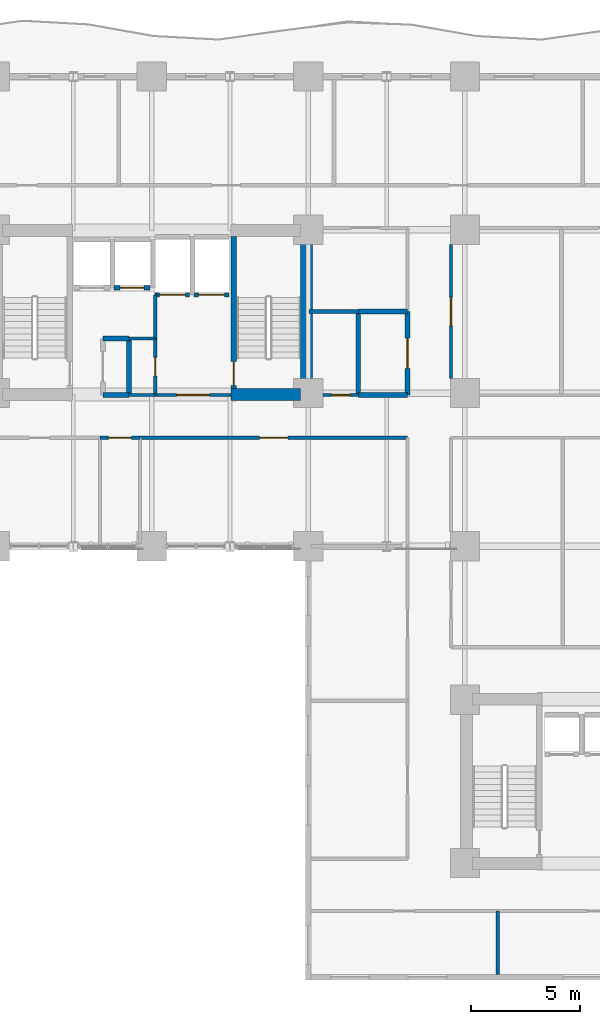
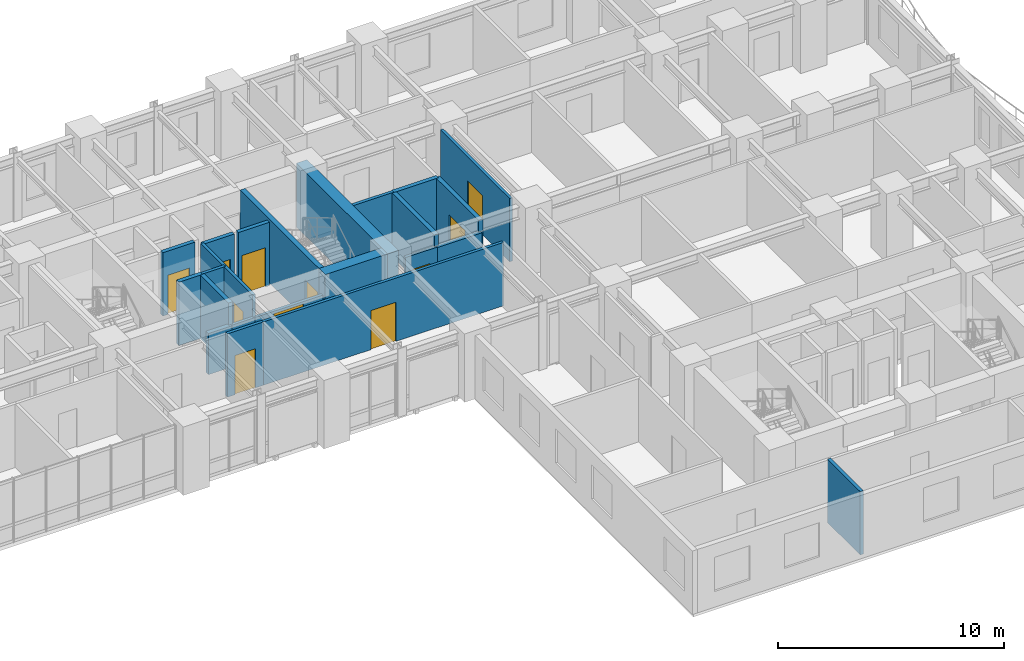
# One storey, part 9 of 17: 24 walls, 11 doors, 11 openings.
"""IFC4 building model written with IfcOpenShell, lengths in metres."""

from ifc_helpers import new_model, si_unit, direction, frame, frame_2d, origin, place, context, subcontext, project, spatial, rectangle, extrude, material, layer, layer_set, type_object, element, fill, save


model = new_model("IFC4")

# Units and contexts
model_context = context("Model", 3, precision=1e-05, world=origin(), true_north=direction((0.0, 1.0)))
body_context = subcontext(model_context, "Body", "Model", "MODEL_VIEW")
ifc_project = project(units=[si_unit("LENGTHUNIT", "METRE"), si_unit("AREAUNIT", "SQUARE_METRE"), si_unit("VOLUMEUNIT", "CUBIC_METRE"), si_unit("PLANEANGLEUNIT", "RADIAN"), si_unit("MASSUNIT", "GRAM", prefix="KILO")], contexts=[model_context])

# Site, building, storey
site_placement = place(None, origin())
site = spatial("IfcSite", under=ifc_project, at=site_placement, CompositionType="ELEMENT")
building_placement = place(site_placement, origin())
building = spatial("IfcBuilding", under=site, at=building_placement, Name="Kaliganga Portal Commons", CompositionType="ELEMENT")
storey_placement = place(building_placement, frame((0.0, 0.0, 43.800048828125)))
storey = spatial("IfcBuildingStorey", under=building, at=storey_placement, Name="L10", CompositionType="ELEMENT", Elevation=43.800048828125)

# Walls
ifc_material_1 = material(Name="Concrete C60/75", Category="concrete")
ifc_layer_1 = layer(ifc_material_1, 0.550048828125)
ifc_layer_set_1 = layer_set([ifc_layer_1], Name="Concrete C60/75")
wall_type_1 = type_object("IfcWallType", Name="WL-CORE-550", PredefinedType="SHEAR", material=ifc_layer_set_1)
wall_1_placement = place(storey_placement, frame((28.72509765625, 28.300048828125, 0.0), z_axis=(0.0, 0.0, 1.0), x_axis=(0.0, 1.0, 0.0)))
element("IfcWall", 1, at=wall_1_placement, inside=storey, type_object=wall_type_1, Name="Core A East Shear Wall L10", PredefinedType="SHEAR", context=body_context, shape_type="SweptSolid", body=[
    extrude(rectangle(XDim=8.099853515625, YDim=0.550048828125, at=frame_2d((4.0498046875, 0.0))), origin(), (0.0, 0.0, 1.0), 3.449951171875),
])
wall_2_placement = place(storey_placement, frame((25.25, 28.574951171875, 0.0), z_axis=(0.0, 0.0, 1.0), x_axis=(1.0, 0.0, 0.0)))
element("IfcWall", 2, at=wall_2_placement, inside=storey, type_object=wall_type_1, Name="Core A S-East Shear Wall L10", PredefinedType="SHEAR", context=body_context, shape_type="SweptSolid", body=[
    extrude(rectangle(XDim=3.199951171875, YDim=0.550048828125, at=frame_2d((1.60009765625, 0.0))), origin(), (0.0, 0.0, 1.0), 3.449951171875),
])

# Wall, opening, door
ifc_material_2 = material(Name="Fire-Rated Gypsum Board on Steel Stud", Category="steel")
ifc_layer_2 = layer(ifc_material_2, 0.14990234375)
ifc_layer_set_2 = layer_set([ifc_layer_2], Name="Fire-Rated Gypsum Board on Steel Stud")
wall_type_2 = type_object("IfcWallType", Name="WL-PART-CORR-150", PredefinedType="PARTITIONING", material=ifc_layer_set_2)
wall_3_placement = place(storey_placement, frame((21.06005859375, 26.60009765625, 0.0), z_axis=(0.0, 0.0, 1.0), x_axis=(1.0, 0.0, 0.0)))
wall_3 = element("IfcWall", 3, at=wall_3_placement, inside=storey, type_object=wall_type_2, Name="Interior Partition L10-006", PredefinedType="PARTITIONING", context=body_context, shape_type="SweptSolid", body=[
    extrude(rectangle(XDim=12.300048828125, YDim=0.14990234375, at=frame_2d((6.14990234375, 0.0))), origin(), (0.0, 0.0, 1.0), 3.429931640625),
])
opening_1_placement = place(wall_3_placement, frame((5.5, 0.0, 0.0)))
opening_1 = element("IfcOpeningElement", 4, at=opening_1_placement, cuts=wall_3, Name="Opening RD-03", PredefinedType="OPENING", context=body_context, shape_type="SweptSolid", body=[
    extrude(rectangle(XDim=1.300048828125, YDim=2.1201171875, at=frame_2d((0.64990234375, 1.06005859375))), frame((0.0, 0.0849609375, 0.0), z_axis=(0.0, -1.0, 0.0), x_axis=(1.0, 0.0, 0.0)), (0.0, 0.0, 1.0), 0.169921875),
])
ifc_material_3 = material(Name="Glazed Timber Seminar Vision Door", Category="wood")
door_type_1 = type_object("IfcDoorType", Name="DR-STUDY-1300", OperationType="DOUBLE_DOOR_SINGLE_SWING", PredefinedType="DOOR", material=ifc_material_3)
door_1_placement = place(opening_1_placement, origin())
door_1 = element("IfcDoor", 5, at=door_1_placement, inside=storey, type_object=door_type_1, Name="Interior Door L10-AS05", OperationType="DOUBLE_DOOR_SINGLE_SWING", OverallHeight=2.1201171875, OverallWidth=1.300048828125, PredefinedType="DOOR", context=body_context, shape_type="SweptSolid", body=[
    extrude(rectangle(XDim=1.300048828125, YDim=2.1201171875, at=frame_2d((0.64990234375, 1.06005859375))), frame((0.0, 0.02490234375, 0.0), z_axis=(0.0, -1.0, 0.0), x_axis=(1.0, 0.0, 0.0)), (0.0, 0.0, 1.0), 0.050048828125),
])
fill(opening_1, door_1)

wall_4_placement = place(storey_placement, frame((35.360107421875, 29.324951171875, 0.0), z_axis=(0.0, 0.0, 1.0), x_axis=(0.0, 1.0, 0.0)))
wall_4 = element("IfcWall", 6, at=wall_4_placement, inside=storey, type_object=wall_type_2, Name="Interior Partition L10-018", PredefinedType="PARTITIONING", context=body_context, shape_type="SweptSolid", body=[
    extrude(rectangle(XDim=6.150146484375, YDim=0.14990234375, at=frame_2d((3.0751953125, 0.0))), origin(), (0.0, 0.0, 1.0), 3.429931640625),
])
opening_2_placement = place(wall_4_placement, frame((2.425048828125, 0.0, 0.0)))
opening_2 = element("IfcOpeningElement", 7, at=opening_2_placement, cuts=wall_4, Name="Opening RD-03", PredefinedType="OPENING", context=body_context, shape_type="SweptSolid", body=[
    extrude(rectangle(XDim=1.300048828125, YDim=2.1201171875, at=frame_2d((0.64990234375, 1.06005859375))), frame((0.0, 0.0849609375, 0.0), z_axis=(0.0, -1.0, 0.0), x_axis=(1.0, 0.0, 0.0)), (0.0, 0.0, 1.0), 0.169921875),
])
door_2_placement = place(opening_2_placement, origin())
door_2 = element("IfcDoor", 8, at=door_2_placement, inside=storey, type_object=door_type_1, Name="Interior Door L10-BK01", OperationType="DOUBLE_DOOR_SINGLE_SWING", OverallHeight=2.1201171875, OverallWidth=1.300048828125, PredefinedType="DOOR", context=body_context, shape_type="SweptSolid", body=[
    extrude(rectangle(XDim=1.300048828125, YDim=2.1201171875, at=frame_2d((0.64990234375, 1.06005859375))), frame((0.0, 0.02490234375, 0.0), z_axis=(0.0, -1.0, 0.0), x_axis=(1.0, 0.0, 0.0)), (0.0, 0.0, 1.0), 0.050048828125),
])
fill(opening_2, door_2)

wall_5_placement = place(storey_placement, frame((21.760009765625, 28.56005859375, 0.0), z_axis=(0.0, 0.0, 1.0), x_axis=(0.0, 1.0, 0.0)))
wall_5 = element("IfcWall", 9, at=wall_5_placement, inside=storey, type_object=wall_type_2, Name="Interior Partition L10-050", PredefinedType="PARTITIONING", context=body_context, shape_type="SweptSolid", body=[
    extrude(rectangle(XDim=2.599853515625, YDim=0.14990234375, at=frame_2d((1.2998046875, 0.0))), origin(), (0.0, 0.0, 1.0), 3.429931640625),
])
opening_3_placement = place(wall_5_placement, frame((0.8701171875, 0.0, 0.0)))
opening_3 = element("IfcOpeningElement", 10, at=opening_3_placement, cuts=wall_5, Name="Opening WD-02", PredefinedType="OPENING", context=body_context, shape_type="SweptSolid", body=[
    extrude(rectangle(XDim=0.860107421875, YDim=2.02001953125, at=frame_2d((0.43017578125, 1.010009765625))), frame((0.0, 0.0849609375, 0.0), z_axis=(0.0, -1.0, 0.0), x_axis=(1.0, 0.0, 0.0)), (0.0, 0.0, 1.0), 0.169921875),
])
ifc_material_4 = material(Name="Fire-Rated Utility Closet Door", Category="wood")
door_type_2 = type_object("IfcDoorType", Name="DR-STORE-800", OperationType="NOTDEFINED", PredefinedType="DOOR", material=ifc_material_4)
door_3_placement = place(opening_3_placement, origin())
door_3 = element("IfcDoor", 11, at=door_3_placement, inside=storey, type_object=door_type_2, Name="Interior Door L10-CIN_A2", OperationType="SINGLE_SWING_RIGHT", OverallHeight=2.02001953125, OverallWidth=0.860107421875, PredefinedType="DOOR", context=body_context, shape_type="SweptSolid", body=[
    extrude(rectangle(XDim=0.860107421875, YDim=2.02001953125, at=frame_2d((0.43017578125, 1.010009765625))), frame((0.0, 0.02490234375, 0.0), z_axis=(0.0, -1.0, 0.0), x_axis=(1.0, 0.0, 0.0)), (0.0, 0.0, 1.0), 0.050048828125),
])
fill(opening_3, door_3)

wall_6_placement = place(storey_placement, frame((29.47509765625, 28.56005859375, 0.0), z_axis=(0.0, 0.0, 1.0), x_axis=(1.0, 0.0, 0.0)))
wall_6 = element("IfcWall", 12, at=wall_6_placement, inside=storey, type_object=wall_type_2, Name="Interior Partition L10-052", PredefinedType="PARTITIONING", context=body_context, shape_type="SweptSolid", body=[
    extrude(rectangle(XDim=1.625, YDim=0.14990234375, at=frame_2d((0.8125, 0.0))), origin(), (0.0, 0.0, 1.0), 2.780029296875),
])
opening_4_placement = place(wall_6_placement, frame((0.382568359375, 0.0, 0.0)))
opening_4 = element("IfcOpeningElement", 13, at=opening_4_placement, cuts=wall_6, Name="Opening WD-02", PredefinedType="OPENING", context=body_context, shape_type="SweptSolid", body=[
    extrude(rectangle(XDim=0.860107421875, YDim=2.02001953125, at=frame_2d((0.43017578125, 1.010009765625))), frame((0.0, 0.0849609375, 0.0), z_axis=(0.0, -1.0, 0.0), x_axis=(1.0, 0.0, 0.0)), (0.0, 0.0, 1.0), 0.169921875),
])
door_4_placement = place(opening_4_placement, origin())
door_4 = element("IfcDoor", 14, at=door_4_placement, inside=storey, type_object=door_type_2, Name="Interior Door L10-CSRV_A1", OperationType="SINGLE_SWING_RIGHT", OverallHeight=2.02001953125, OverallWidth=0.860107421875, PredefinedType="DOOR", context=body_context, shape_type="SweptSolid", body=[
    extrude(rectangle(XDim=0.860107421875, YDim=2.02001953125, at=frame_2d((0.43017578125, 1.010009765625))), frame((0.0, 0.02490234375, 0.0), z_axis=(0.0, -1.0, 0.0), x_axis=(1.0, 0.0, 0.0)), (0.0, 0.0, 1.0), 0.050048828125),
])
fill(opening_4, door_4)

wall_7_placement = place(storey_placement, frame((19.219970703125, 26.60009765625, 0.0), z_axis=(0.0, 0.0, 1.0), x_axis=(1.0, 0.0, 0.0)))
wall_7 = element("IfcWall", 15, at=wall_7_placement, inside=storey, type_object=wall_type_2, Name="Interior Partition L10-054", PredefinedType="PARTITIONING", context=body_context, shape_type="SweptSolid", body=[
    extrude(rectangle(XDim=1.840087890625, YDim=0.14990234375, at=frame_2d((0.919921875, 0.0))), origin(), (0.0, 0.0, 1.0), 3.429931640625),
])
opening_5_placement = place(wall_7_placement, frame((0.39501953125, 0.0, 0.0)))
opening_5 = element("IfcOpeningElement", 16, at=opening_5_placement, cuts=wall_7, Name="Opening UD-02", PredefinedType="OPENING", context=body_context, shape_type="SweptSolid", body=[
    extrude(rectangle(XDim=1.050048828125, YDim=2.1201171875, at=frame_2d((0.52490234375, 1.06005859375))), frame((0.0, 0.0849609375, 0.0), z_axis=(0.0, -1.0, 0.0), x_axis=(1.0, 0.0, 0.0)), (0.0, 0.0, 1.0), 0.169921875),
])
ifc_material_5 = material(Name="Accessible Wide-Leaf Acoustic Fire Door", Category="wood")
door_type_3 = type_object("IfcDoorType", Name="DR-ACC-1050", OperationType="NOTDEFINED", PredefinedType="DOOR", material=ifc_material_5)
door_5_placement = place(opening_5_placement, origin())
door_5 = element("IfcDoor", 17, at=door_5_placement, inside=storey, type_object=door_type_3, Name="Interior Door L10-AS04", OperationType="SINGLE_SWING_LEFT", OverallHeight=2.1201171875, OverallWidth=1.050048828125, PredefinedType="DOOR", context=body_context, shape_type="SweptSolid", body=[
    extrude(rectangle(XDim=1.050048828125, YDim=2.1201171875, at=frame_2d((0.52490234375, 1.06005859375))), frame((0.0, 0.02490234375, 0.0), z_axis=(0.0, -1.0, 0.0), x_axis=(1.0, 0.0, 0.0)), (0.0, 0.0, 1.0), 0.050048828125),
])
fill(opening_5, door_5)

# Walls
wall_8_placement = place(storey_placement, frame((20.56005859375, 28.56005859375, 0.0), z_axis=(0.0, 0.0, 1.0), x_axis=(1.0, 0.0, 0.0)))
element("IfcWall", 18, at=wall_8_placement, inside=storey, type_object=wall_type_2, Name="Interior Partition L10-055", PredefinedType="PARTITIONING", context=body_context, shape_type="SweptSolid", body=[
    extrude(rectangle(XDim=1.199951171875, YDim=0.14990234375, at=frame_2d((0.60009765625, 0.0))), origin(), (0.0, 0.0, 1.0), 2.22998046875),
])
wall_9_placement = place(storey_placement, frame((20.56005859375, 31.159912109375, 0.0), z_axis=(0.0, 0.0, 1.0), x_axis=(1.0, 0.0, 0.0)))
element("IfcWall", 19, at=wall_9_placement, inside=storey, type_object=wall_type_2, Name="Interior Partition L10-056", PredefinedType="PARTITIONING", context=body_context, shape_type="SweptSolid", body=[
    extrude(rectangle(XDim=1.199951171875, YDim=0.14990234375, at=frame_2d((0.60009765625, 0.0))), origin(), (0.0, 0.0, 1.0), 3.429931640625),
])

# Wall, opening, door
wall_10_placement = place(storey_placement, frame((21.760009765625, 28.56005859375, 0.0), z_axis=(0.0, 0.0, 1.0), x_axis=(1.0, 0.0, 0.0)))
wall_10 = element("IfcWall", 20, at=wall_10_placement, inside=storey, type_object=wall_type_2, Name="Interior Partition L10-088", PredefinedType="PARTITIONING", context=body_context, shape_type="SweptSolid", body=[
    extrude(rectangle(XDim=3.47998046875, YDim=0.14990234375, at=frame_2d((1.739990234375, 0.0))), origin(), (0.0, 0.0, 1.0), 2.22998046875),
])
opening_6_placement = place(wall_10_placement, frame((0.989990234375, 0.0, 0.0)))
opening_6 = element("IfcOpeningElement", 21, at=opening_6_placement, cuts=wall_10, Name="Opening FD-01", PredefinedType="OPENING", context=body_context, shape_type="SweptSolid", body=[
    extrude(rectangle(XDim=1.5, YDim=2.10009765625, at=frame_2d((0.75, 1.050048828125))), frame((0.0, 0.0849609375, 0.0), z_axis=(0.0, -1.0, 0.0), x_axis=(1.0, 0.0, 0.0)), (0.0, 0.0, 1.0), 0.169921875),
])
ifc_material_6 = material(Name="Fire-Rated Hardwood and Georgian-Wired Vision Panel", Category="wood")
door_type_4 = type_object("IfcDoorType", Name="DR-LOBBY-1500", OperationType="DOUBLE_DOOR_SINGLE_SWING", PredefinedType="DOOR", material=ifc_material_6)
door_6_placement = place(opening_6_placement, origin())
door_6 = element("IfcDoor", 22, at=door_6_placement, inside=storey, type_object=door_type_4, Name="Interior Door L10-FFLOB_A", OperationType="DOUBLE_DOOR_SINGLE_SWING", OverallHeight=2.10009765625, OverallWidth=1.5, PredefinedType="DOOR", context=body_context, shape_type="SweptSolid", body=[
    extrude(rectangle(XDim=1.5, YDim=2.10009765625, at=frame_2d((0.75, 1.050048828125))), frame((0.0, 0.02490234375, 0.0), z_axis=(0.0, -1.0, 0.0), x_axis=(1.0, 0.0, 0.0)), (0.0, 0.0, 1.0), 0.050048828125),
])
fill(opening_6, door_6)

# Wall
wall_11_placement = place(storey_placement, frame((21.760009765625, 31.159912109375, 0.0), z_axis=(0.0, 0.0, 1.0), x_axis=(0.0, 1.0, 0.0)))
element("IfcWall", 23, at=wall_11_placement, inside=storey, type_object=wall_type_2, Name="Interior Partition L10-095", PredefinedType="PARTITIONING", context=body_context, shape_type="SweptSolid", body=[
    extrude(rectangle(XDim=2.0, YDim=0.14990234375, at=frame_2d((1.0, 0.0))), origin(), (0.0, 0.0, 1.0), 3.429931640625),
])

# Wall, opening, door
ifc_material_7 = material(Name="Lightweight blockwork masonry", Category="masonry")
ifc_layer_3 = layer(ifc_material_7, 0.215087890625)
ifc_layer_set_3 = layer_set([ifc_layer_3], Name="Lightweight blockwork masonry")
wall_type_3 = type_object("IfcWallType", Name="WL-PART-PLANT-215", PredefinedType="PARTITIONING", material=ifc_layer_set_3)
wall_12_placement = place(storey_placement, frame((33.360107421875, 28.56005859375, 0.0), z_axis=(0.0, 0.0, 1.0), x_axis=(0.0, 1.0, 0.0)))
wall_12 = element("IfcWall", 24, at=wall_12_placement, inside=storey, type_object=wall_type_3, Name="Interior Partition L10-048", PredefinedType="PARTITIONING", context=body_context, shape_type="SweptSolid", body=[
    extrude(rectangle(XDim=3.83984375, YDim=0.215087890625, at=frame_2d((1.919921875, 0.0))), origin(), (0.0, 0.0, 1.0), 3.429931640625),
])
opening_7_placement = place(wall_12_placement, frame((1.219970703125, 0.0, 0.0)))
opening_7 = element("IfcOpeningElement", 25, at=opening_7_placement, cuts=wall_12, Name="Opening PD-01", PredefinedType="OPENING", context=body_context, shape_type="SweptSolid", body=[
    extrude(rectangle(XDim=1.39990234375, YDim=2.14990234375, at=frame_2d((0.699951171875, 1.074951171875))), frame((0.0, 0.11767578125, 0.0), z_axis=(0.0, -1.0, 0.0), x_axis=(1.0, 0.0, 0.0)), (0.0, 0.0, 1.0), 0.235107421875),
])
ifc_material_8 = material(Name="Heavy-Duty Steel Acoustic Louvre Fire Door", Category="steel")
door_type_5 = type_object("IfcDoorType", Name="DR-PLANT-1400", OperationType="DOUBLE_DOOR_SINGLE_SWING", PredefinedType="DOOR", material=ifc_material_8)
door_7_placement = place(opening_7_placement, origin())
door_7 = element("IfcDoor", 26, at=door_7_placement, inside=storey, type_object=door_type_5, Name="Interior Door L10-CSRV_A3", OperationType="DOUBLE_DOOR_SINGLE_SWING", OverallHeight=2.14990234375, OverallWidth=1.39990234375, PredefinedType="DOOR", context=body_context, shape_type="SweptSolid", body=[
    extrude(rectangle(XDim=1.39990234375, YDim=2.14990234375, at=frame_2d((0.699951171875, 1.074951171875))), frame((0.0, 0.02490234375, 0.0), z_axis=(0.0, -1.0, 0.0), x_axis=(1.0, 0.0, 0.0)), (0.0, 0.0, 1.0), 0.050048828125),
])
fill(opening_7, door_7)

# Walls
wall_13_placement = place(storey_placement, frame((31.10009765625, 28.56005859375, 0.0), z_axis=(0.0, 0.0, 1.0), x_axis=(1.0, 0.0, 0.0)))
element("IfcWall", 27, at=wall_13_placement, inside=storey, type_object=wall_type_3, Name="Interior Partition L10-053", PredefinedType="PARTITIONING", context=body_context, shape_type="SweptSolid", body=[
    extrude(rectangle(XDim=2.260009765625, YDim=0.215087890625, at=frame_2d((1.1298828125, 0.0))), origin(), (0.0, 0.0, 1.0), 2.780029296875),
])
wall_14_placement = place(storey_placement, frame((19.360107421875, 28.56005859375, 0.0), z_axis=(0.0, 0.0, 1.0), x_axis=(1.0, 0.0, 0.0)))
element("IfcWall", 28, at=wall_14_placement, inside=storey, type_object=wall_type_3, Name="Interior Partition L10-057", PredefinedType="PARTITIONING", context=body_context, shape_type="SweptSolid", body=[
    extrude(rectangle(XDim=1.199951171875, YDim=0.215087890625, at=frame_2d((0.60009765625, 0.0))), origin(), (0.0, 0.0, 1.0), 2.22998046875),
])
wall_15_placement = place(storey_placement, frame((19.360107421875, 31.159912109375, 0.0), z_axis=(0.0, 0.0, 1.0), x_axis=(1.0, 0.0, 0.0)))
element("IfcWall", 29, at=wall_15_placement, inside=storey, type_object=wall_type_3, Name="Interior Partition L10-058", PredefinedType="PARTITIONING", context=body_context, shape_type="SweptSolid", body=[
    extrude(rectangle(XDim=1.199951171875, YDim=0.215087890625, at=frame_2d((0.60009765625, 0.0))), origin(), (0.0, 0.0, 1.0), 3.429931640625),
])
wall_16_placement = place(storey_placement, frame((31.10009765625, 28.56005859375, 0.0), z_axis=(0.0, 0.0, 1.0), x_axis=(0.0, 1.0, 0.0)))
element("IfcWall", 30, at=wall_16_placement, inside=storey, type_object=wall_type_3, Name="Interior Partition L10-087", PredefinedType="PARTITIONING", context=body_context, shape_type="SweptSolid", body=[
    extrude(rectangle(XDim=3.83984375, YDim=0.215087890625, at=frame_2d((1.919921875, 0.0))), origin(), (0.0, 0.0, 1.0), 3.429931640625),
])
wall_17_placement = place(storey_placement, frame((20.56005859375, 28.56005859375, 0.0), z_axis=(0.0, 0.0, 1.0), x_axis=(0.0, 1.0, 0.0)))
element("IfcWall", 31, at=wall_17_placement, inside=storey, type_object=wall_type_3, Name="Interior Partition L10-092", PredefinedType="PARTITIONING", context=body_context, shape_type="SweptSolid", body=[
    extrude(rectangle(XDim=2.599853515625, YDim=0.215087890625, at=frame_2d((1.2998046875, 0.0))), origin(), (0.0, 0.0, 1.0), 3.429931640625),
])
wall_18_placement = place(storey_placement, frame((31.10009765625, 32.39990234375, 0.0), z_axis=(0.0, 0.0, 1.0), x_axis=(1.0, 0.0, 0.0)))
element("IfcWall", 32, at=wall_18_placement, inside=storey, type_object=wall_type_3, Name="Interior Partition L10-094", PredefinedType="PARTITIONING", context=body_context, shape_type="SweptSolid", body=[
    extrude(rectangle(XDim=2.260009765625, YDim=0.215087890625, at=frame_2d((1.1298828125, 0.0))), origin(), (0.0, 0.0, 1.0), 3.429931640625),
])
ifc_material_9 = material(Name="Twin-Stud Acoustic Gypsum Partition", Category="gypsum")
ifc_layer_4 = layer(ifc_material_9, 0.1650390625)
ifc_layer_set_4 = layer_set([ifc_layer_4], Name="Twin-Stud Acoustic Gypsum Partition")
wall_type_4 = type_object("IfcWallType", Name="WL-PART-UNIT-165", PredefinedType="PARTITIONING", material=ifc_layer_set_4)
wall_19_placement = place(storey_placement, frame((37.5, 1.931884765625, 0.0), z_axis=(0.0, 0.0, 1.0), x_axis=(0.0, 1.0, 0.0)))
element("IfcWall", 33, at=wall_19_placement, inside=storey, type_object=wall_type_4, Name="Interior Partition L10-090", PredefinedType="PARTITIONING", context=body_context, shape_type="SweptSolid", body=[
    extrude(rectangle(XDim=2.908203125, YDim=0.1650390625, at=frame_2d((1.4541015625, 0.0))), origin(), (0.0, 0.0, 1.0), 3.429931640625),
])
wall_20_placement = place(storey_placement, frame((28.840087890625, 32.39990234375, 0.0), z_axis=(0.0, 0.0, 1.0), x_axis=(1.0, 0.0, 0.0)))
element("IfcWall", 34, at=wall_20_placement, inside=storey, type_object=wall_type_4, Name="Interior Partition L10-093", PredefinedType="PARTITIONING", context=body_context, shape_type="SweptSolid", body=[
    extrude(rectangle(XDim=2.260009765625, YDim=0.1650390625, at=frame_2d((1.1298828125, 0.0))), origin(), (0.0, 0.0, 1.0), 3.429931640625),
])

# Wall, opening, door
ifc_material_10 = material(Name="Fire-Rated Shaftwall Masonry Assembly", Category="masonry")
ifc_layer_5 = layer(ifc_material_10, 0.199951171875)
ifc_layer_set_5 = layer_set([ifc_layer_5], Name="Fire-Rated Shaftwall Masonry Assembly")
wall_type_5 = type_object("IfcWallType", Name="WL-SHAFT-200", PredefinedType="PARTITIONING", material=ifc_layer_set_5)
wall_21_placement = place(storey_placement, frame((19.875, 33.485107421875, 0.0), z_axis=(0.0, 0.0, 1.0), x_axis=(1.0, 0.0, 0.0)))
wall_21 = element("IfcWall", 35, at=wall_21_placement, inside=storey, type_object=wall_type_5, Name="Lift PL-A2 Hoistway Shaft Wall L10-S", PredefinedType="PARTITIONING", context=body_context, shape_type="SweptSolid", body=[
    extrude(rectangle(XDim=1.64990234375, YDim=0.199951171875, at=frame_2d((0.824951171875, 0.0))), origin(), (0.0, 0.0, 1.0), 3.429931640625),
])
opening_8_placement = place(wall_21_placement, frame((0.27490234375, 0.0, 0.0)))
opening_8 = element("IfcOpeningElement", 36, at=opening_8_placement, cuts=wall_21, Name="Opening LD-01", PredefinedType="OPENING", context=body_context, shape_type="SweptSolid", body=[
    extrude(rectangle(XDim=1.10009765625, YDim=2.1201171875, at=frame_2d((0.550048828125, 1.06005859375))), frame((0.0, 0.10986328125, 0.0), z_axis=(0.0, -1.0, 0.0), x_axis=(1.0, 0.0, 0.0)), (0.0, 0.0, 1.0), 0.219970703125),
])
ifc_material_11 = material(Name="Brushed Stainless Steel 316 Lift Landing Door", Category="steel")
door_type_6 = type_object("IfcDoorType", Name="DR-LIFT-1100", OperationType="SLIDING_TO_LEFT", PredefinedType="DOOR", material=ifc_material_11)
door_8_placement = place(opening_8_placement, origin())
door_8 = element("IfcDoor", 37, at=door_8_placement, inside=storey, type_object=door_type_6, Name="Lift PL-A2 Sliding Landing Door L10", OperationType="SLIDING_TO_LEFT", OverallHeight=2.1201171875, OverallWidth=1.10009765625, PredefinedType="DOOR", context=body_context, shape_type="SweptSolid", body=[
    extrude(rectangle(XDim=1.10009765625, YDim=2.1201171875, at=frame_2d((0.550048828125, 1.06005859375))), frame((0.0, 0.02490234375, 0.0), z_axis=(0.0, -1.0, 0.0), x_axis=(1.0, 0.0, 0.0)), (0.0, 0.0, 1.0), 0.050048828125),
])
fill(opening_8, door_8)

wall_22_placement = place(storey_placement, frame((21.75, 33.159912109375, 0.0), z_axis=(0.0, 0.0, 1.0), x_axis=(1.0, 0.0, 0.0)))
wall_22 = element("IfcWall", 38, at=wall_22_placement, inside=storey, type_object=wall_type_5, Name="Lift FFL-1 Hoistway Shaft Wall L10-S", PredefinedType="PARTITIONING", context=body_context, shape_type="SweptSolid", body=[
    extrude(rectangle(XDim=1.60009765625, YDim=0.199951171875, at=frame_2d((0.800048828125, 0.0))), origin(), (0.0, 0.0, 1.0), 3.429931640625),
])
opening_9_placement = place(wall_22_placement, frame((0.199951171875, 0.0, 0.0)))
opening_9 = element("IfcOpeningElement", 39, at=opening_9_placement, cuts=wall_22, Name="Opening LD-02", PredefinedType="OPENING", context=body_context, shape_type="SweptSolid", body=[
    extrude(rectangle(XDim=1.199951171875, YDim=2.1201171875, at=frame_2d((0.60009765625, 1.06005859375))), frame((0.0, 0.10986328125, 0.0), z_axis=(0.0, -1.0, 0.0), x_axis=(1.0, 0.0, 0.0)), (0.0, 0.0, 1.0), 0.219970703125),
])
ifc_material_12 = material(Name="Brushed Stainless Steel 316 Stretcher Lift Landing Door", Category="steel")
door_type_7 = type_object("IfcDoorType", Name="DR-LIFT-1200", OperationType="SLIDING_TO_RIGHT", PredefinedType="DOOR", material=ifc_material_12)
door_9_placement = place(opening_9_placement, origin())
door_9 = element("IfcDoor", 40, at=door_9_placement, inside=storey, type_object=door_type_7, Name="Lift FFL-1 Sliding Landing Door L10", OperationType="SLIDING_TO_RIGHT", OverallHeight=2.1201171875, OverallWidth=1.199951171875, PredefinedType="DOOR", context=body_context, shape_type="SweptSolid", body=[
    extrude(rectangle(XDim=1.199951171875, YDim=2.1201171875, at=frame_2d((0.60009765625, 1.06005859375))), frame((0.0, 0.02490234375, 0.0), z_axis=(0.0, -1.0, 0.0), x_axis=(1.0, 0.0, 0.0)), (0.0, 0.0, 1.0), 0.050048828125),
])
fill(opening_9, door_9)

wall_23_placement = place(storey_placement, frame((23.550048828125, 33.159912109375, 0.0), z_axis=(0.0, 0.0, 1.0), x_axis=(1.0, 0.0, 0.0)))
wall_23 = element("IfcWall", 41, at=wall_23_placement, inside=storey, type_object=wall_type_5, Name="Lift FFL-2 Hoistway Shaft Wall L10-S", PredefinedType="PARTITIONING", context=body_context, shape_type="SweptSolid", body=[
    extrude(rectangle(XDim=1.599853515625, YDim=0.199951171875, at=frame_2d((0.7998046875, 0.0))), origin(), (0.0, 0.0, 1.0), 3.429931640625),
])
opening_10_placement = place(wall_23_placement, frame((0.199951171875, 0.0, 0.0)))
opening_10 = element("IfcOpeningElement", 42, at=opening_10_placement, cuts=wall_23, Name="Opening LD-02", PredefinedType="OPENING", context=body_context, shape_type="SweptSolid", body=[
    extrude(rectangle(XDim=1.199951171875, YDim=2.1201171875, at=frame_2d((0.60009765625, 1.06005859375))), frame((0.0, 0.10986328125, 0.0), z_axis=(0.0, -1.0, 0.0), x_axis=(1.0, 0.0, 0.0)), (0.0, 0.0, 1.0), 0.219970703125),
])
door_10_placement = place(opening_10_placement, origin())
door_10 = element("IfcDoor", 43, at=door_10_placement, inside=storey, type_object=door_type_7, Name="Lift FFL-2 Sliding Landing Door L10", OperationType="SLIDING_TO_RIGHT", OverallHeight=2.1201171875, OverallWidth=1.199951171875, PredefinedType="DOOR", context=body_context, shape_type="SweptSolid", body=[
    extrude(rectangle(XDim=1.199951171875, YDim=2.1201171875, at=frame_2d((0.60009765625, 1.06005859375))), frame((0.0, 0.02490234375, 0.0), z_axis=(0.0, -1.0, 0.0), x_axis=(1.0, 0.0, 0.0)), (0.0, 0.0, 1.0), 0.050048828125),
])
fill(opening_10, door_10)

ifc_material_13 = material(Name="Concrete C50/60", Category="concrete")
ifc_layer_6 = layer(ifc_material_13, 0.25)
ifc_layer_set_6 = layer_set([ifc_layer_6], Name="Concrete C50/60")
wall_type_6 = type_object("IfcWallType", Name="WL-STAIR-250", PredefinedType="SHEAR", material=ifc_layer_set_6)
wall_24_placement = place(storey_placement, frame((25.375, 28.85009765625, 0.0), z_axis=(0.0, 0.0, 1.0), x_axis=(0.0, 1.0, 0.0)))
wall_24 = element("IfcWall", 44, at=wall_24_placement, inside=storey, type_object=wall_type_6, Name="Stair A2 Enclosure Shear Wall L10", PredefinedType="SHEAR", context=body_context, shape_type="SweptSolid", body=[
    extrude(rectangle(XDim=7.0, YDim=0.25, at=frame_2d((3.5, 0.0))), origin(), (0.0, 0.0, 1.0), 3.449951171875),
])
opening_11_placement = place(wall_24_placement, frame((0.14990234375, 0.0, 0.0)))
opening_11 = element("IfcOpeningElement", 45, at=opening_11_placement, cuts=wall_24, Name="Opening SD-01", PredefinedType="OPENING", context=body_context, shape_type="SweptSolid", body=[
    extrude(rectangle(XDim=1.10009765625, YDim=2.080078125, at=frame_2d((0.550048828125, 1.0400390625))), frame((0.0, 0.135009765625, 0.0), z_axis=(0.0, -1.0, 0.0), x_axis=(1.0, 0.0, 0.0)), (0.0, 0.0, 1.0), 0.27001953125),
])
ifc_material_14 = material(Name="Galvanized Steel Fire Door Leaf and Frame", Category="steel")
door_type_8 = type_object("IfcDoorType", Name="DR-STAIR-1100", OperationType="NOTDEFINED", PredefinedType="DOOR", material=ifc_material_14)
door_11_placement = place(opening_11_placement, origin())
door_11 = element("IfcDoor", 46, at=door_11_placement, inside=storey, type_object=door_type_8, Name="Protected Stair ST-A2 Fire Door L10", OperationType="SINGLE_SWING_LEFT", OverallHeight=2.080078125, OverallWidth=1.10009765625, PredefinedType="DOOR", context=body_context, shape_type="SweptSolid", body=[
    extrude(rectangle(XDim=1.10009765625, YDim=2.080078125, at=frame_2d((0.550048828125, 1.0400390625))), frame((0.0, 0.02490234375, 0.0), z_axis=(0.0, -1.0, 0.0), x_axis=(1.0, 0.0, 0.0)), (0.0, 0.0, 1.0), 0.050048828125),
])
fill(opening_11, door_11)

save(model, "model.ifc")
